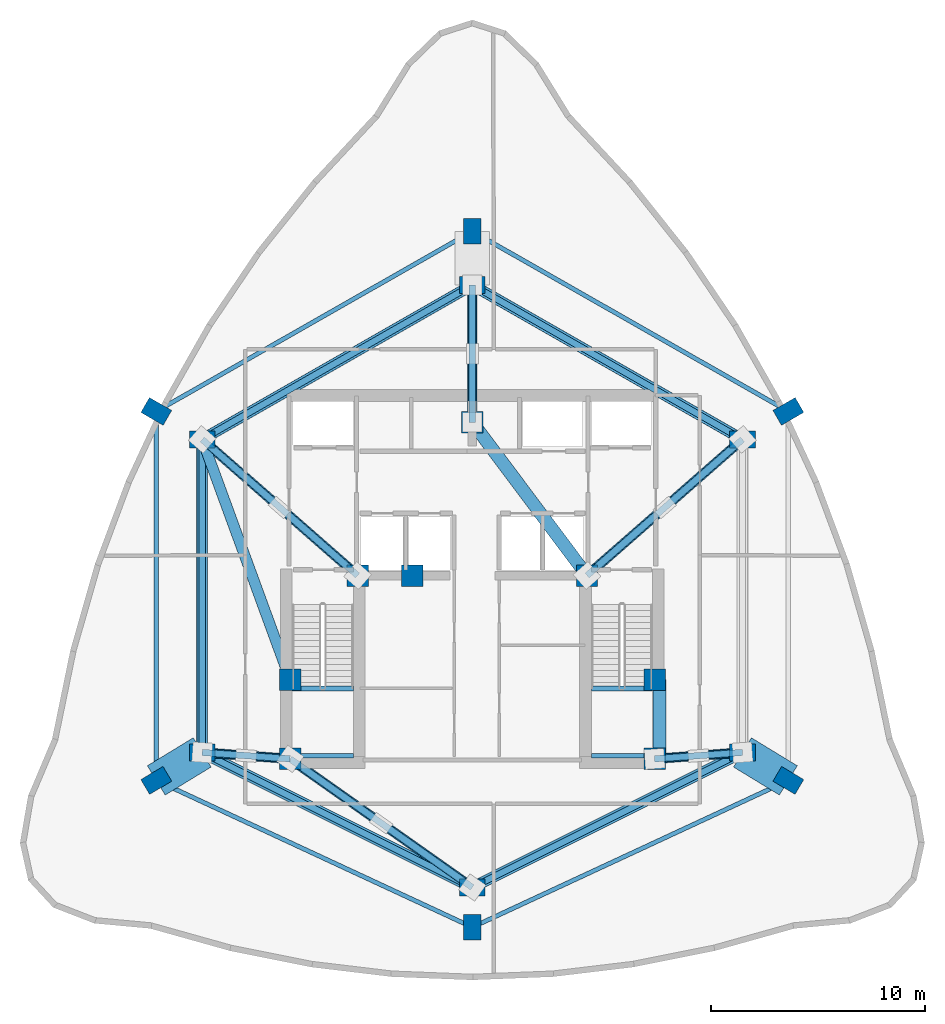
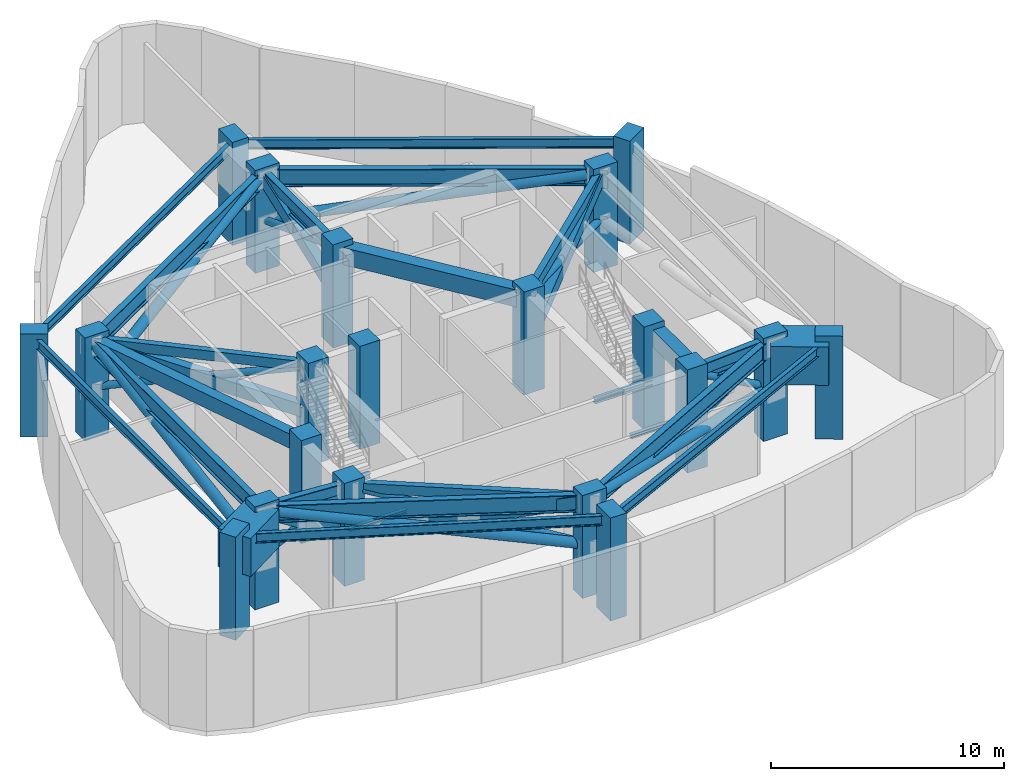
# One storey, part 1 of 5: 29 members, 22 beams, 20 columns.
"""IFC4 building model written with IfcOpenShell, lengths in metres."""

from ifc_helpers import new_model, si_unit, direction, frame, origin, origin_2d, place, context, subcontext, project, spatial, rectangle, hollow_rectangle, hollow_circle, i_section, extrude, material, material_profile, profile_set, type_object, element, save


model = new_model("IFC4")

# Units and contexts
model_context = context("Model", 3, precision=1e-05, world=origin(), true_north=direction((0.0, 1.0)))
body_context = subcontext(model_context, "Body", "Model", "MODEL_VIEW")
ifc_project = project(units=[si_unit("LENGTHUNIT", "METRE"), si_unit("AREAUNIT", "SQUARE_METRE"), si_unit("VOLUMEUNIT", "CUBIC_METRE"), si_unit("PLANEANGLEUNIT", "RADIAN"), si_unit("MASSUNIT", "GRAM", prefix="KILO")], contexts=[model_context])

# Site, building, storey
site_placement = place(None, origin())
site = spatial("IfcSite", under=ifc_project, at=site_placement, CompositionType="ELEMENT")
building_placement = place(site_placement, origin())
building = spatial("IfcBuilding", under=site, at=building_placement, Name="Miruveldt Soraemaru", CompositionType="ELEMENT")
storey_placement = place(building_placement, frame((0.0, 0.0, 184.39990234375)))
storey = spatial("IfcBuildingStorey", under=building, at=storey_placement, Name="L51", CompositionType="ELEMENT", Elevation=184.39990234375)

# Columns
ifc_material_1 = material(Name="Concrete C60/75 (60 MPa)", Category="concrete")
ifc_material_profile_1 = material_profile(ifc_material_1, rectangle(XDim=1.0, YDim=1.0, at=origin_2d()), Name="Concrete C60/75 (60 MPa)", Category="concrete")
ifc_profile_set_1 = profile_set([ifc_material_profile_1], Name="Concrete C60/75 (60 MPa)")
column_type_1 = type_object("IfcColumnType", Name="COL-CORE-1000", PredefinedType="COLUMN", material=ifc_profile_set_1)
for number, where, z_axis, x_axis, name in (
    (1, (35.5, 35.5, 0.0), (0.0, 0.0, 1.0), (1.0, 0.0, 0.0), "L51 Structural Column CC1"),
    (2, (38.64990234375, 44.050048828125, 0.0), (0.0, 0.0, 1.0), (1.0, 0.0, 0.0), "L51 Structural Column CC2"),
    (3, (52.5, 35.5, 0.0), (0.0, 0.0, 1.0), (1.0, 0.0, 0.0), "L51 Structural Column CC3"),
    (4, (52.5, 39.199951171875, 0.0), (0.0, 0.0, 1.0), (1.0, 0.0, 0.0), "L51 Structural Column CC4"),
    (5, (49.35009765625, 44.050048828125, 0.0), (0.0, 0.0, 1.0), (1.0, 0.0, 0.0), "L51 Structural Column CC5"),
    (6, (44.0, 51.199951171875, 0.0), (0.0, 0.0, 1.0), (1.0, 0.0, 0.0), "L51 Structural Column CC6"),
    (7, (35.5, 39.199951171875, 0.0), (0.0, 0.0, 1.0), (1.0, 0.0, 0.0), "L51 Structural Column CC7"),
    (8, (41.199951171875, 44.050048828125, 0.0), (0.0, 0.0, 1.0), (1.0, 0.0, 0.0), "L51 Structural Column CC8"),
):
    element("IfcColumn", number, at=place(storey_placement, frame(where, z_axis=z_axis, x_axis=x_axis)), inside=storey, type_object=column_type_1, Name=name, PredefinedType="COLUMN", context=body_context, shape_type="SweptSolid", body=[
        extrude(rectangle(XDim=1.0, YDim=1.0, at=origin_2d()), origin(), (0.0, 0.0, 1.0), 5.400146484375),
    ])
ifc_material_2 = material(Name="Concrete C70/85 (70 MPa)", Category="concrete")
ifc_material_profile_2 = material_profile(ifc_material_2, rectangle(XDim=1.199951171875, YDim=0.800048828125, at=origin_2d()), Name="Concrete C70/85 (70 MPa)", Category="concrete")
ifc_profile_set_2 = profile_set([ifc_material_profile_2], Name="Concrete C70/85 (70 MPa)")
column_type_2 = type_object("IfcColumnType", Name="COL-TW-Z2", PredefinedType="COLUMN", material=ifc_profile_set_2)
for number, where, z_axis, x_axis, name in (
    (9, (44.0, 57.60009765625, 0.0), (0.0, 0.0, 1.0), (1.0, 0.0, 0.0), "L51 Structural Column IR01"),
    (10, (56.60009765625, 50.39990234375, 0.0), (0.0, 0.0, 1.0), (1.0, 0.0, 0.0), "L51 Structural Column IR02"),
    (11, (56.60009765625, 35.800048828125, 0.0), (0.0, 0.0, 1.0), (1.0, 0.0, 0.0), "L51 Structural Column IR03"),
    (12, (44.0, 29.5, 0.0), (0.0, 0.0, 1.0), (1.0, 0.0, 0.0), "L51 Structural Column IR04"),
    (13, (31.39990234375, 35.800048828125, 0.0), (0.0, 0.0, 1.0), (1.0, 0.0, 0.0), "L51 Structural Column IR05"),
    (14, (31.39990234375, 50.39990234375, 0.0), (0.0, 0.0, 1.0), (1.0, 0.0, 0.0), "L51 Structural Column IR06"),
    (15, (44.0, 60.10595703125, 0.0), (0.0, 0.0, 1.0), (0.0, 1.0, 0.0), "L51 Structural Column Z2P01"),
    (16, (58.739990234375, 51.705078125, 0.0), (0.0, 0.0, 1.0), (0.866025403784, 0.5, 0.0), "L51 Structural Column Z2P02"),
    (17, (58.739990234375, 34.4951171875, 0.0), (0.0, 0.0, 1.0), (-0.860742027004, 0.50904141575, 0.0), "L51 Structural Column Z2P03"),
    (18, (44.0, 27.64697265625, 0.0), (0.0, 0.0, 1.0), (0.0, 1.0, 0.0), "L51 Structural Column Z2P04"),
    (19, (29.260009765625, 34.4951171875, 0.0), (0.0, 0.0, 1.0), (0.860742027004, 0.50904141575, 0.0), "L51 Structural Column Z2P05"),
    (20, (29.260009765625, 51.705078125, 0.0), (0.0, 0.0, 1.0), (-0.866025403784, 0.5, 0.0), "L51 Structural Column Z2P06"),
):
    element("IfcColumn", number, at=place(storey_placement, frame(where, z_axis=z_axis, x_axis=x_axis)), inside=storey, type_object=column_type_2, Name=name, PredefinedType="COLUMN", context=body_context, shape_type="SweptSolid", body=[
        extrude(rectangle(XDim=1.199951171875, YDim=0.800048828125, at=origin_2d()), origin(), (0.0, 0.0, 1.0), 5.400146484375),
    ])

# Beams
ifc_material_3 = material(Name="Concrete C40/50 (40 MPa)", Category="concrete")
ifc_material_profile_3 = material_profile(ifc_material_3, rectangle(XDim=0.5, YDim=0.75, at=origin_2d()), Name="Concrete C40/50 (40 MPa)", Category="concrete")
ifc_profile_set_3 = profile_set([ifc_material_profile_3], Name="Concrete C40/50 (40 MPa)")
beam_type_1 = type_object("IfcBeamType", Name="BM-RC-500x750", PredefinedType="LINTEL", material=ifc_profile_set_3)
beam_1_placement = place(storey_placement, frame((31.39990234375, 50.39990234375, 4.72509765625), z_axis=(0.343770424598, -0.939053723262, 0.0), x_axis=(0.939053723262, 0.343770424598, 0.0)))
element("IfcBeam", 21, at=beam_1_placement, inside=storey, type_object=beam_type_1, Name="L51 West Lobby Lintel", PredefinedType="LINTEL", context=body_context, shape_type="SweptSolid", body=[
    extrude(rectangle(XDim=0.5, YDim=0.75, at=origin_2d()), origin(), (0.0, 0.0, 1.0), 11.9267578125),
])
ifc_material_profile_4 = material_profile(ifc_material_1, rectangle(XDim=0.60009765625, YDim=0.89990234375, at=origin_2d()), Name="Concrete C60/75 (60 MPa)", Category="concrete")
ifc_profile_set_4 = profile_set([ifc_material_profile_4], Name="Concrete C60/75 (60 MPa)")
beam_type_2 = type_object("IfcBeamType", Name="BM-RC-600x900", PredefinedType="BEAM", material=ifc_profile_set_4)
beam_2_placement = place(storey_placement, frame((52.72998046875, 35.5, 4.650146484375), z_axis=(0.0, 1.0, 0.0), x_axis=(-1.0, 0.0, 0.0)))
element("IfcBeam", 22, at=beam_2_placement, inside=storey, type_object=beam_type_2, Name="L51 Core Tie Beam 3", PredefinedType="BEAM", context=body_context, shape_type="SweptSolid", body=[
    extrude(rectangle(XDim=0.60009765625, YDim=0.89990234375, at=origin_2d()), origin(), (0.0, 0.0, 1.0), 3.699951171875),
])
beam_3_placement = place(storey_placement, frame((49.35009765625, 44.050048828125, 4.650146484375), z_axis=(-0.599116023999, 0.800662219533, 0.0), x_axis=(-0.800662219533, -0.599116023999, 0.0)))
element("IfcBeam", 23, at=beam_3_placement, inside=storey, type_object=beam_type_2, Name="L51 Core Tie Beam 5", PredefinedType="BEAM", context=body_context, shape_type="SweptSolid", body=[
    extrude(rectangle(XDim=0.60009765625, YDim=0.89990234375, at=origin_2d()), origin(), (0.0, 0.0, 1.0), 8.929931640625),
])
ifc_material_4 = material(Name="Steel SM355 (355 MPa)", Category="steel")
ifc_material_profile_5 = material_profile(ifc_material_4, i_section(OverallWidth=0.199951171875, OverallDepth=0.5, WebThickness=0.010009765625, FlangeThickness=0.01611328125, FilletRadius=0.02001953125, at=origin_2d()), Name="Steel SM355 (355 MPa)", Category="steel")
ifc_profile_set_5 = profile_set([ifc_material_profile_5], Name="Steel SM355 (355 MPa)")
beam_type_3 = type_object("IfcBeamType", Name="BM-ST-H500", PredefinedType="SPANDREL", material=ifc_profile_set_5)
beam_4_placement = place(storey_placement, frame((44.0, 60.10595703125, 4.85009765625), z_axis=(0.86880048516, -0.495162313778, 0.0), x_axis=(0.495162313778, 0.86880048516, 0.0)))
element("IfcBeam", 24, at=beam_4_placement, inside=storey, type_object=beam_type_3, Name="L51 Zone-2 Spandrel Beam 1", PredefinedType="SPANDREL", context=body_context, shape_type="SweptSolid", body=[
    extrude(i_section(OverallWidth=0.199951171875, OverallDepth=0.5, WebThickness=0.010009765625, FlangeThickness=0.01611328125, FilletRadius=0.02001953125, at=origin_2d()), origin(), (0.0, 0.0, 1.0), 16.9658203125),
])
for number, where, z_axis, x_axis, name in (
    (25, (58.739990234375, 34.4951171875, 4.85009765625), (-0.906901362829, -0.421342993414, 0.0), (0.421342993414, -0.906901362829, 0.0), "L51 Zone-2 Spandrel Beam 3"),
    (26, (44.0, 27.64697265625, 4.85009765625), (-0.906901362829, 0.421342993414, 0.0), (-0.421342993414, -0.906901362829, 0.0), "L51 Zone-2 Spandrel Beam 4"),
):
    element("IfcBeam", number, at=place(storey_placement, frame(where, z_axis=z_axis, x_axis=x_axis)), inside=storey, type_object=beam_type_3, Name=name, PredefinedType="SPANDREL", context=body_context, shape_type="SweptSolid", body=[
        extrude(i_section(OverallWidth=0.199951171875, OverallDepth=0.5, WebThickness=0.010009765625, FlangeThickness=0.01611328125, FilletRadius=0.02001953125, at=origin_2d()), origin(), (0.0, 0.0, 1.0), 16.253173828125),
    ])
beam_5_placement = place(storey_placement, frame((29.260009765625, 34.4951171875, 4.85009765625), z_axis=(0.0, 1.0, 0.0), x_axis=(-1.0, 0.0, 0.0)))
element("IfcBeam", 27, at=beam_5_placement, inside=storey, type_object=beam_type_3, Name="L51 Zone-2 Spandrel Beam 5", PredefinedType="SPANDREL", context=body_context, shape_type="SweptSolid", body=[
    extrude(i_section(OverallWidth=0.199951171875, OverallDepth=0.5, WebThickness=0.010009765625, FlangeThickness=0.01611328125, FilletRadius=0.02001953125, at=origin_2d()), origin(), (0.0, 0.0, 1.0), 17.2099609375),
])
beam_6_placement = place(storey_placement, frame((29.260009765625, 51.705078125, 4.85009765625), z_axis=(0.86880048516, 0.495162313778, 0.0), x_axis=(-0.495162313778, 0.86880048516, 0.0)))
element("IfcBeam", 28, at=beam_6_placement, inside=storey, type_object=beam_type_3, Name="L51 Zone-2 Spandrel Beam 6", PredefinedType="SPANDREL", context=body_context, shape_type="SweptSolid", body=[
    extrude(i_section(OverallWidth=0.199951171875, OverallDepth=0.5, WebThickness=0.010009765625, FlangeThickness=0.01611328125, FilletRadius=0.02001953125, at=origin_2d()), origin(), (0.0, 0.0, 1.0), 16.9658203125),
])
ifc_material_5 = material(Name="Steel S460 (460 MPa)", Category="steel")
ifc_material_profile_6 = material_profile(ifc_material_5, i_section(OverallWidth=0.300048828125, OverallDepth=0.89990234375, WebThickness=0.01611328125, FlangeThickness=0.028076171875, FilletRadius=0.028076171875, at=origin_2d()), Name="Steel S460 (460 MPa)", Category="steel")
ifc_profile_set_6 = profile_set([ifc_material_profile_6], Name="Steel S460 (460 MPa)")
beam_type_4 = type_object("IfcBeamType", Name="BM-ST-H900", PredefinedType="BEAM", material=ifc_profile_set_6)
beam_7_placement = place(storey_placement, frame((44.0, 57.60009765625, 4.650146484375), z_axis=(0.868239001029, -0.496146185203, 0.0), x_axis=(0.496146185203, 0.868239001029, 0.0)))
element("IfcBeam", 29, at=beam_7_placement, inside=storey, type_object=beam_type_4, Name="L51 Inner Ring Girder 1", PredefinedType="BEAM", context=body_context, shape_type="SweptSolid", body=[
    extrude(i_section(OverallWidth=0.300048828125, OverallDepth=0.89990234375, WebThickness=0.01611328125, FlangeThickness=0.028076171875, FilletRadius=0.028076171875, at=origin_2d()), origin(), (0.0, 0.0, 1.0), 14.51220703125),
])
beam_8_placement = place(storey_placement, frame((44.0, 51.199951171875, 4.650146484375), z_axis=(0.0, 1.0, 0.0), x_axis=(-1.0, 0.0, 0.0)))
element("IfcBeam", 30, at=beam_8_placement, inside=storey, type_object=beam_type_4, Name="L51 Core-to-Inner Radial Girder 1", PredefinedType="BEAM", context=body_context, shape_type="SweptSolid", body=[
    extrude(i_section(OverallWidth=0.300048828125, OverallDepth=0.89990234375, WebThickness=0.01611328125, FlangeThickness=0.028076171875, FilletRadius=0.028076171875, at=origin_2d()), origin(), (0.0, 0.0, 1.0), 6.400146484375),
])
beam_9_placement = place(storey_placement, frame((56.60009765625, 35.800048828125, 4.650146484375), z_axis=(-0.894427191, -0.4472135955, 0.0), x_axis=(0.4472135955, -0.894427191, 0.0)))
element("IfcBeam", 31, at=beam_9_placement, inside=storey, type_object=beam_type_4, Name="L51 Inner Ring Girder 3", PredefinedType="BEAM", context=body_context, shape_type="SweptSolid", body=[
    extrude(i_section(OverallWidth=0.300048828125, OverallDepth=0.89990234375, WebThickness=0.01611328125, FlangeThickness=0.028076171875, FilletRadius=0.028076171875, at=origin_2d()), origin(), (0.0, 0.0, 1.0), 14.08740234375),
])
beam_10_placement = place(storey_placement, frame((52.5, 35.5, 4.650146484375), z_axis=(0.997332985605, 0.072985723431, 0.0), x_axis=(-0.072985723431, 0.997332985605, 0.0)))
element("IfcBeam", 32, at=beam_10_placement, inside=storey, type_object=beam_type_4, Name="L51 Core-to-Inner Radial Girder 3", PredefinedType="BEAM", context=body_context, shape_type="SweptSolid", body=[
    extrude(i_section(OverallWidth=0.300048828125, OverallDepth=0.89990234375, WebThickness=0.01611328125, FlangeThickness=0.028076171875, FilletRadius=0.028076171875, at=origin_2d()), origin(), (0.0, 0.0, 1.0), 4.111083984375),
])
beam_11_placement = place(storey_placement, frame((44.0, 29.5, 4.650146484375), z_axis=(-0.894427191, 0.4472135955, 0.0), x_axis=(-0.4472135955, -0.894427191, 0.0)))
element("IfcBeam", 33, at=beam_11_placement, inside=storey, type_object=beam_type_4, Name="L51 Inner Ring Girder 4", PredefinedType="BEAM", context=body_context, shape_type="SweptSolid", body=[
    extrude(i_section(OverallWidth=0.300048828125, OverallDepth=0.89990234375, WebThickness=0.01611328125, FlangeThickness=0.028076171875, FilletRadius=0.028076171875, at=origin_2d()), origin(), (0.0, 0.0, 1.0), 14.08740234375),
])
beam_12_placement = place(storey_placement, frame((31.39990234375, 35.800048828125, 4.650146484375), z_axis=(0.0, 1.0, 0.0), x_axis=(-1.0, 0.0, 0.0)))
element("IfcBeam", 34, at=beam_12_placement, inside=storey, type_object=beam_type_4, Name="L51 Inner Ring Girder 5", PredefinedType="BEAM", context=body_context, shape_type="SweptSolid", body=[
    extrude(i_section(OverallWidth=0.300048828125, OverallDepth=0.89990234375, WebThickness=0.01611328125, FlangeThickness=0.028076171875, FilletRadius=0.028076171875, at=origin_2d()), origin(), (0.0, 0.0, 1.0), 14.599853515625),
])
beam_13_placement = place(storey_placement, frame((35.5, 35.5, 4.650146484375), z_axis=(-0.997332985605, 0.072985723431, 0.0), x_axis=(-0.072985723431, -0.997332985605, 0.0)))
element("IfcBeam", 35, at=beam_13_placement, inside=storey, type_object=beam_type_4, Name="L51 Core-to-Inner Radial Girder 5", PredefinedType="BEAM", context=body_context, shape_type="SweptSolid", body=[
    extrude(i_section(OverallWidth=0.300048828125, OverallDepth=0.89990234375, WebThickness=0.01611328125, FlangeThickness=0.028076171875, FilletRadius=0.028076171875, at=origin_2d()), origin(), (0.0, 0.0, 1.0), 4.111083984375),
])
beam_14_placement = place(storey_placement, frame((31.39990234375, 50.39990234375, 4.650146484375), z_axis=(0.868239001029, 0.496146185203, 0.0), x_axis=(-0.496146185203, 0.868239001029, 0.0)))
element("IfcBeam", 36, at=beam_14_placement, inside=storey, type_object=beam_type_4, Name="L51 Inner Ring Girder 6", PredefinedType="BEAM", context=body_context, shape_type="SweptSolid", body=[
    extrude(i_section(OverallWidth=0.300048828125, OverallDepth=0.89990234375, WebThickness=0.01611328125, FlangeThickness=0.028076171875, FilletRadius=0.028076171875, at=origin_2d()), origin(), (0.0, 0.0, 1.0), 14.51220703125),
])
ifc_material_profile_7 = material_profile(ifc_material_4, i_section(OverallWidth=0.199951171875, OverallDepth=0.199951171875, WebThickness=0.008056640625, FlangeThickness=0.011962890625, FilletRadius=0.012939453125, at=origin_2d()), Name="Steel SM355 (355 MPa)", Category="steel")
ifc_profile_set_7 = profile_set([ifc_material_profile_7], Name="Steel SM355 (355 MPa)")
beam_type_5 = type_object("IfcBeamType", Name="BM-ST-LND200", PredefinedType="BEAM", material=ifc_profile_set_7)
for number, where, z_axis, x_axis, name in (
    (37, (35.60009765625, 35.64990234375, 2.400146484375), (1.0, 0.0, 0.0), (0.0, 1.0, 0.0), "L51 ST1 Landing End Beam 1B"),
    (38, (49.550048828125, 35.64990234375, 2.400146484375), (1.0, 0.0, 0.0), (0.0, 1.0, 0.0), "L51 ST2 Landing End Beam 1B"),
):
    element("IfcBeam", number, at=place(storey_placement, frame(where, z_axis=z_axis, x_axis=x_axis)), inside=storey, type_object=beam_type_5, Name=name, PredefinedType="BEAM", context=body_context, shape_type="SweptSolid", body=[
        extrude(i_section(OverallWidth=0.199951171875, OverallDepth=0.199951171875, WebThickness=0.008056640625, FlangeThickness=0.011962890625, FilletRadius=0.012939453125, at=origin_2d()), origin(), (0.0, 0.0, 1.0), 2.849853515625),
    ])
ifc_material_profile_8 = material_profile(ifc_material_4, i_section(OverallWidth=0.25, OverallDepth=0.25, WebThickness=0.009033203125, FlangeThickness=0.013916015625, FilletRadius=0.01611328125, at=origin_2d()), Name="Steel SM355 (355 MPa)", Category="steel")
ifc_profile_set_8 = profile_set([ifc_material_profile_8], Name="Steel SM355 (355 MPa)")
beam_type_6 = type_object("IfcBeamType", Name="BM-ST-LND250", PredefinedType="BEAM", material=ifc_profile_set_8)
for number, where, z_axis, x_axis, name in (
    (39, (35.60009765625, 38.780029296875, 2.375), (1.0, 0.0, 0.0), (0.0, 1.0, 0.0), "L51 ST1 Landing Support Beam 1A"),
    (40, (49.550048828125, 38.780029296875, 2.375), (1.0, 0.0, 0.0), (0.0, 1.0, 0.0), "L51 ST2 Landing Support Beam 1A"),
):
    element("IfcBeam", number, at=place(storey_placement, frame(where, z_axis=z_axis, x_axis=x_axis)), inside=storey, type_object=beam_type_6, Name=name, PredefinedType="BEAM", context=body_context, shape_type="SweptSolid", body=[
        extrude(i_section(OverallWidth=0.25, OverallDepth=0.25, WebThickness=0.009033203125, FlangeThickness=0.013916015625, FilletRadius=0.01611328125, at=origin_2d()), origin(), (0.0, 0.0, 1.0), 2.849853515625),
    ])
ifc_material_profile_9 = material_profile(ifc_material_2, rectangle(XDim=1.60009765625, YDim=2.0, at=origin_2d()), Name="Concrete C70/85 (70 MPa)", Category="concrete")
ifc_profile_set_9 = profile_set([ifc_material_profile_9], Name="Concrete C70/85 (70 MPa)")
beam_type_7 = type_object("IfcBeamType", Name="BM-TG-1600x2000", PredefinedType="USERDEFINED", material=ifc_profile_set_9)
for number, where, z_axis, x_axis, name in (
    (41, (56.60009765625, 35.800048828125, 4.10009765625), (0.853775054686, -0.5206420613, 0.0), (0.5206420613, 0.853775054686, 0.0), "L51 Continuous Zone-3 Transfer Girder 2"),
    (42, (31.39990234375, 35.800048828125, 4.10009765625), (-0.853775054686, -0.5206420613, 0.0), (0.5206420613, -0.853775054686, 0.0), "L51 Continuous Zone-3 Transfer Girder 3"),
):
    element("IfcBeam", number, at=place(storey_placement, frame(where, z_axis=z_axis, x_axis=x_axis)), inside=storey, type_object=beam_type_7, Name=name, ObjectType="TRANSFER GIRDER", PredefinedType="USERDEFINED", context=body_context, shape_type="SweptSolid", body=[
        extrude(rectangle(XDim=1.60009765625, YDim=2.0, at=origin_2d()), origin(), (0.0, 0.0, 1.0), 2.50634765625),
    ])

# Members
ifc_material_profile_10 = material_profile(ifc_material_5, hollow_circle(Radius=0.25390625, WallThickness=0.02001953125, at=origin_2d()), Name="Steel S460 (460 MPa)", Category="steel")
ifc_profile_set_10 = profile_set([ifc_material_profile_10], Name="Steel S460 (460 MPa)")
member_type_1 = type_object("IfcMemberType", Name="MEM-BLT-CHS508", PredefinedType="BRACE", material=ifc_profile_set_10)
member_1_placement = place(storey_placement, frame((44.0, 57.60009765625, 2.420166015625), z_axis=(0.85660499507, -0.489498052986, 0.163154952558), x_axis=(0.496146185203, 0.868239001029, 0.0)))
element("IfcMember", 43, at=member_1_placement, inside=storey, type_object=member_type_1, Name="L51 Belt Truss Diagonal 1", PredefinedType="BRACE", context=body_context, shape_type="SweptSolid", body=[
    extrude(hollow_circle(Radius=0.25390625, WallThickness=0.02001953125, at=origin_2d()), origin(), (0.0, 0.0, 1.0), 14.709228515625),
])
for number, where, z_axis, x_axis, name in (
    (44, (56.60009765625, 35.800048828125, 2.420166015625), (-0.881723946476, -0.440861973238, 0.167939282966), (0.4472135955, -0.894427191, 0.0), "L51 Belt Truss Diagonal 3"),
    (45, (44.0, 29.5, 2.420166015625), (-0.881723946476, 0.440861973238, 0.167939282966), (-0.4472135955, -0.894427191, 0.0), "L51 Belt Truss Diagonal 4"),
):
    element("IfcMember", number, at=place(storey_placement, frame(where, z_axis=z_axis, x_axis=x_axis)), inside=storey, type_object=member_type_1, Name=name, PredefinedType="BRACE", context=body_context, shape_type="SweptSolid", body=[
        extrude(hollow_circle(Radius=0.25390625, WallThickness=0.02001953125, at=origin_2d()), origin(), (0.0, 0.0, 1.0), 14.290283203125),
    ])
member_2_placement = place(storey_placement, frame((31.39990234375, 35.800048828125, 2.420166015625), z_axis=(0.0, 0.98675761441, 0.162201758326), x_axis=(-1.0, 0.0, 0.0)))
element("IfcMember", 46, at=member_2_placement, inside=storey, type_object=member_type_1, Name="L51 Belt Truss Diagonal 5", PredefinedType="BRACE", context=body_context, shape_type="SweptSolid", body=[
    extrude(hollow_circle(Radius=0.25390625, WallThickness=0.02001953125, at=origin_2d()), origin(), (0.0, 0.0, 1.0), 14.7958984375),
])
member_3_placement = place(storey_placement, frame((31.39990234375, 50.39990234375, 2.420166015625), z_axis=(0.85660499507, 0.489498052986, 0.163154952558), x_axis=(-0.496146185203, 0.868239001029, 0.0)))
element("IfcMember", 47, at=member_3_placement, inside=storey, type_object=member_type_1, Name="L51 Belt Truss Diagonal 6", PredefinedType="BRACE", context=body_context, shape_type="SweptSolid", body=[
    extrude(hollow_circle(Radius=0.25390625, WallThickness=0.02001953125, at=origin_2d()), origin(), (0.0, 0.0, 1.0), 14.709228515625),
])
ifc_material_profile_11 = material_profile(ifc_material_5, hollow_rectangle(XDim=0.300048828125, YDim=0.5, WallThickness=0.02001953125, at=origin_2d()), Name="Steel S460 (460 MPa)", Category="steel")
ifc_profile_set_11 = profile_set([ifc_material_profile_11], Name="Steel S460 (460 MPa)")
member_type_2 = type_object("IfcMemberType", Name="MEM-CHD-RHS500", PredefinedType="CHORD", material=ifc_profile_set_11)
member_4_placement = place(storey_placement, frame((44.0, 51.199951171875, 4.820068359375), z_axis=(0.0, 1.0, 0.0), x_axis=(-1.0, 0.0, 0.0)))
element("IfcMember", 48, at=member_4_placement, inside=storey, type_object=member_type_2, Name="L51 Outrigger Top Chord 1", PredefinedType="CHORD", context=body_context, shape_type="SweptSolid", body=[
    extrude(hollow_rectangle(XDim=0.300048828125, YDim=0.5, WallThickness=0.02001953125, at=origin_2d()), origin(), (0.0, 0.0, 1.0), 6.400146484375),
])
member_5_placement = place(storey_placement, frame((49.35009765625, 44.050048828125, 4.820068359375), z_axis=(0.752262759904, 0.658863218021, 0.0), x_axis=(-0.658863218021, 0.752262759904, 0.0)))
element("IfcMember", 49, at=member_5_placement, inside=storey, type_object=member_type_2, Name="L51 Outrigger Top Chord 2", PredefinedType="CHORD", context=body_context, shape_type="SweptSolid", body=[
    extrude(hollow_rectangle(XDim=0.300048828125, YDim=0.5, WallThickness=0.02001953125, at=origin_2d()), origin(), (0.0, 0.0, 1.0), 9.6376953125),
])
member_6_placement = place(storey_placement, frame((52.5, 35.5, 4.820068359375), z_axis=(0.997332985605, 0.072985723431, 0.0), x_axis=(-0.072985723431, 0.997332985605, 0.0)))
element("IfcMember", 50, at=member_6_placement, inside=storey, type_object=member_type_2, Name="L51 Outrigger Top Chord 3", PredefinedType="CHORD", context=body_context, shape_type="SweptSolid", body=[
    extrude(hollow_rectangle(XDim=0.300048828125, YDim=0.5, WallThickness=0.02001953125, at=origin_2d()), origin(), (0.0, 0.0, 1.0), 4.111083984375),
])
member_7_placement = place(storey_placement, frame((35.5, 35.5, 4.820068359375), z_axis=(0.816967863265, -0.576683197599, 0.0), x_axis=(0.576683197599, 0.816967863265, 0.0)))
element("IfcMember", 51, at=member_7_placement, inside=storey, type_object=member_type_2, Name="L51 Outrigger Top Chord 4", PredefinedType="CHORD", context=body_context, shape_type="SweptSolid", body=[
    extrude(hollow_rectangle(XDim=0.300048828125, YDim=0.5, WallThickness=0.02001953125, at=origin_2d()), origin(), (0.0, 0.0, 1.0), 10.404296875),
])
member_8_placement = place(storey_placement, frame((35.5, 35.5, 4.820068359375), z_axis=(-0.997332985605, 0.072985723431, 0.0), x_axis=(-0.072985723431, -0.997332985605, 0.0)))
element("IfcMember", 52, at=member_8_placement, inside=storey, type_object=member_type_2, Name="L51 Outrigger Top Chord 5", PredefinedType="CHORD", context=body_context, shape_type="SweptSolid", body=[
    extrude(hollow_rectangle(XDim=0.300048828125, YDim=0.5, WallThickness=0.02001953125, at=origin_2d()), origin(), (0.0, 0.0, 1.0), 4.111083984375),
])
member_9_placement = place(storey_placement, frame((38.64990234375, 44.050048828125, 4.820068359375), z_axis=(-0.752262759904, 0.658863218021, 0.0), x_axis=(-0.658863218021, -0.752262759904, 0.0)))
element("IfcMember", 53, at=member_9_placement, inside=storey, type_object=member_type_2, Name="L51 Outrigger Top Chord 6", PredefinedType="CHORD", context=body_context, shape_type="SweptSolid", body=[
    extrude(hollow_rectangle(XDim=0.300048828125, YDim=0.5, WallThickness=0.02001953125, at=origin_2d()), origin(), (0.0, 0.0, 1.0), 9.6376953125),
])
ifc_material_profile_12 = material_profile(ifc_material_5, hollow_rectangle(XDim=0.449951171875, YDim=0.64990234375, WallThickness=0.02490234375, at=origin_2d()), Name="Steel S460 (460 MPa)", Category="steel")
ifc_profile_set_12 = profile_set([ifc_material_profile_12], Name="Steel S460 (460 MPa)")
member_type_3 = type_object("IfcMemberType", Name="MEM-OUT-RHS650", PredefinedType="BRACE", material=ifc_profile_set_12)
member_10_placement = place(storey_placement, frame((44.0, 51.199951171875, 2.420166015625), z_axis=(0.0, 0.936336516595, 0.351103870232), x_axis=(-1.0, 0.0, 0.0)))
element("IfcMember", 54, at=member_10_placement, inside=storey, type_object=member_type_3, Name="L51 Outrigger Continuous Diagonal 1", PredefinedType="BRACE", context=body_context, shape_type="SweptSolid", body=[
    extrude(hollow_rectangle(XDim=0.449951171875, YDim=0.64990234375, WallThickness=0.02490234375, at=origin_2d()), origin(), (0.0, 0.0, 1.0), 6.835205078125),
])
member_11_placement = place(storey_placement, frame((49.35009765625, 44.050048828125, 2.420166015625), z_axis=(0.729970979928, 0.63933914389, 0.241635733186), x_axis=(-0.658863218021, 0.752262759904, 0.0)))
element("IfcMember", 55, at=member_11_placement, inside=storey, type_object=member_type_3, Name="L51 Outrigger Continuous Diagonal 2", PredefinedType="BRACE", context=body_context, shape_type="SweptSolid", body=[
    extrude(hollow_rectangle(XDim=0.449951171875, YDim=0.64990234375, WallThickness=0.02490234375, at=origin_2d()), origin(), (0.0, 0.0, 1.0), 9.931884765625),
])
member_12_placement = place(storey_placement, frame((52.5, 35.5, 2.420166015625), z_axis=(0.861312570062, 0.063031627284, 0.504150444427), x_axis=(-0.072985723431, 0.997332985605, 0.0)))
element("IfcMember", 56, at=member_12_placement, inside=storey, type_object=member_type_3, Name="L51 Outrigger Continuous Diagonal 3", PredefinedType="BRACE", context=body_context, shape_type="SweptSolid", body=[
    extrude(hollow_rectangle(XDim=0.449951171875, YDim=0.64990234375, WallThickness=0.02490234375, at=origin_2d()), origin(), (0.0, 0.0, 1.0), 4.76025390625),
])
member_13_placement = place(storey_placement, frame((35.5, 35.5, 2.420166015625), z_axis=(0.796064662036, -0.561927996731, 0.224762052729), x_axis=(0.576683197599, 0.816967863265, 0.0)))
element("IfcMember", 57, at=member_13_placement, inside=storey, type_object=member_type_3, Name="L51 Outrigger Continuous Diagonal 4", PredefinedType="BRACE", context=body_context, shape_type="SweptSolid", body=[
    extrude(hollow_rectangle(XDim=0.449951171875, YDim=0.64990234375, WallThickness=0.02490234375, at=origin_2d()), origin(), (0.0, 0.0, 1.0), 10.677490234375),
])
member_14_placement = place(storey_placement, frame((35.5, 35.5, 2.420166015625), z_axis=(-0.861312570062, 0.063031627284, 0.504150444427), x_axis=(-0.072985723431, -0.997332985605, 0.0)))
element("IfcMember", 58, at=member_14_placement, inside=storey, type_object=member_type_3, Name="L51 Outrigger Continuous Diagonal 5", PredefinedType="BRACE", context=body_context, shape_type="SweptSolid", body=[
    extrude(hollow_rectangle(XDim=0.449951171875, YDim=0.64990234375, WallThickness=0.02490234375, at=origin_2d()), origin(), (0.0, 0.0, 1.0), 4.76025390625),
])
member_15_placement = place(storey_placement, frame((38.64990234375, 44.050048828125, 2.420166015625), z_axis=(-0.729970979928, 0.63933914389, 0.241635733186), x_axis=(-0.658863218021, -0.752262759904, 0.0)))
element("IfcMember", 59, at=member_15_placement, inside=storey, type_object=member_type_3, Name="L51 Outrigger Continuous Diagonal 6", PredefinedType="BRACE", context=body_context, shape_type="SweptSolid", body=[
    extrude(hollow_rectangle(XDim=0.449951171875, YDim=0.64990234375, WallThickness=0.02490234375, at=origin_2d()), origin(), (0.0, 0.0, 1.0), 9.931884765625),
])
ifc_material_profile_13 = material_profile(ifc_material_4, hollow_circle(Radius=0.177734375, WallThickness=0.013916015625, at=origin_2d()), Name="Steel SM355 (355 MPa)", Category="steel")
ifc_profile_set_13 = profile_set([ifc_material_profile_13], Name="Steel SM355 (355 MPa)")
member_type_4 = type_object("IfcMemberType", Name="MEM-STR-CHS355", PredefinedType="STRUT", material=ifc_profile_set_13)
member_16_placement = place(storey_placement, frame((44.0, 51.199951171875, 4.820068359375), z_axis=(0.0, 0.936332113326, -0.351115612802), x_axis=(-1.0, 0.0, 0.0)))
element("IfcMember", 60, at=member_16_placement, inside=storey, type_object=member_type_4, Name="L51 Outrigger Split Strut Upper 1A", PredefinedType="STRUT", context=body_context, shape_type="SweptSolid", body=[
    extrude(hollow_circle(Radius=0.177734375, WallThickness=0.013916015625, at=origin_2d()), origin(), (0.0, 0.0, 1.0), 3.41748046875),
])
member_17_placement = place(storey_placement, frame((44.0, 54.39990234375, 3.6201171875), z_axis=(0.0, 0.936340919421, -0.351092128391), x_axis=(-1.0, 0.0, 0.0)))
element("IfcMember", 61, at=member_17_placement, inside=storey, type_object=member_type_4, Name="L51 Outrigger Split Strut Lower 1B", PredefinedType="STRUT", context=body_context, shape_type="SweptSolid", body=[
    extrude(hollow_circle(Radius=0.177734375, WallThickness=0.013916015625, at=origin_2d()), origin(), (0.0, 0.0, 1.0), 3.417724609375),
])
member_18_placement = place(storey_placement, frame((49.35009765625, 44.050048828125, 4.820068359375), z_axis=(0.729959507836, 0.639353677223, -0.241631935682), x_axis=(-0.658877553092, 0.752250204407, 0.0)))
element("IfcMember", 62, at=member_18_placement, inside=storey, type_object=member_type_4, Name="L51 Outrigger Split Strut Upper 2A", PredefinedType="STRUT", context=body_context, shape_type="SweptSolid", body=[
    extrude(hollow_circle(Radius=0.177734375, WallThickness=0.013916015625, at=origin_2d()), origin(), (0.0, 0.0, 1.0), 4.966064453125),
])
member_19_placement = place(storey_placement, frame((52.97509765625, 47.22509765625, 3.6201171875), z_axis=(0.729982452121, 0.639324609872, -0.241639530723), x_axis=(-0.658848882232, 0.752275315547, 0.0)))
element("IfcMember", 63, at=member_19_placement, inside=storey, type_object=member_type_4, Name="L51 Outrigger Split Strut Lower 2B", PredefinedType="STRUT", context=body_context, shape_type="SweptSolid", body=[
    extrude(hollow_circle(Radius=0.177734375, WallThickness=0.013916015625, at=origin_2d()), origin(), (0.0, 0.0, 1.0), 4.9658203125),
])
for number, where, z_axis, x_axis, name in (
    (64, (52.5, 35.5, 4.820068359375), (0.861315353306, 0.062980543876, -0.504152073538), (-0.072926653125, 0.997337306664, 0.0), "L51 Outrigger Split Strut Upper 3A"),
    (65, (54.550048828125, 35.64990234375, 3.6201171875), (0.861309784579, 0.063082710196, -0.504148814006), (-0.07304479297, 0.997328661084, 0.0), "L51 Outrigger Split Strut Lower 3B"),
):
    element("IfcMember", number, at=place(storey_placement, frame(where, z_axis=z_axis, x_axis=x_axis)), inside=storey, type_object=member_type_4, Name=name, PredefinedType="STRUT", context=body_context, shape_type="SweptSolid", body=[
        extrude(hollow_circle(Radius=0.177734375, WallThickness=0.013916015625, at=origin_2d()), origin(), (0.0, 0.0, 1.0), 2.380126953125),
    ])
for number, where, z_axis, x_axis, name in (
    (66, (35.5, 35.5, 4.820068359375), (0.796064662036, -0.561927996731, -0.224762052729), (0.576683197599, 0.816967863265, 0.0), "L51 Outrigger Split Strut Upper 4A"),
    (67, (39.75, 32.5, 3.6201171875), (0.796064662036, -0.561927996731, -0.224762052729), (0.576683197599, 0.816967863265, 0.0), "L51 Outrigger Split Strut Lower 4B"),
):
    element("IfcMember", number, at=place(storey_placement, frame(where, z_axis=z_axis, x_axis=x_axis)), inside=storey, type_object=member_type_4, Name=name, PredefinedType="STRUT", context=body_context, shape_type="SweptSolid", body=[
        extrude(hollow_circle(Radius=0.177734375, WallThickness=0.013916015625, at=origin_2d()), origin(), (0.0, 0.0, 1.0), 5.3388671875),
    ])
for number, where, z_axis, x_axis, name in (
    (68, (35.5, 35.5, 4.820068359375), (-0.861315353306, 0.062980543876, -0.504152073538), (-0.072926653125, -0.997337306664, 0.0), "L51 Outrigger Split Strut Upper 5A"),
    (69, (33.449951171875, 35.64990234375, 3.6201171875), (-0.861309784579, 0.063082710196, -0.504148814006), (-0.07304479297, -0.997328661084, 0.0), "L51 Outrigger Split Strut Lower 5B"),
):
    element("IfcMember", number, at=place(storey_placement, frame(where, z_axis=z_axis, x_axis=x_axis)), inside=storey, type_object=member_type_4, Name=name, PredefinedType="STRUT", context=body_context, shape_type="SweptSolid", body=[
        extrude(hollow_circle(Radius=0.177734375, WallThickness=0.013916015625, at=origin_2d()), origin(), (0.0, 0.0, 1.0), 2.380126953125),
    ])
member_20_placement = place(storey_placement, frame((38.64990234375, 44.050048828125, 4.820068359375), z_axis=(-0.729959507836, 0.639353677223, -0.241631935682), x_axis=(-0.658877553092, -0.752250204407, 0.0)))
element("IfcMember", 70, at=member_20_placement, inside=storey, type_object=member_type_4, Name="L51 Outrigger Split Strut Upper 6A", PredefinedType="STRUT", context=body_context, shape_type="SweptSolid", body=[
    extrude(hollow_circle(Radius=0.177734375, WallThickness=0.013916015625, at=origin_2d()), origin(), (0.0, 0.0, 1.0), 4.966064453125),
])
member_21_placement = place(storey_placement, frame((35.02490234375, 47.22509765625, 3.6201171875), z_axis=(-0.729982452121, 0.639324609872, -0.241639530723), x_axis=(-0.658848882232, -0.752275315547, 0.0)))
element("IfcMember", 71, at=member_21_placement, inside=storey, type_object=member_type_4, Name="L51 Outrigger Split Strut Lower 6B", PredefinedType="STRUT", context=body_context, shape_type="SweptSolid", body=[
    extrude(hollow_circle(Radius=0.177734375, WallThickness=0.013916015625, at=origin_2d()), origin(), (0.0, 0.0, 1.0), 4.9658203125),
])

save(model, "model.ifc")
